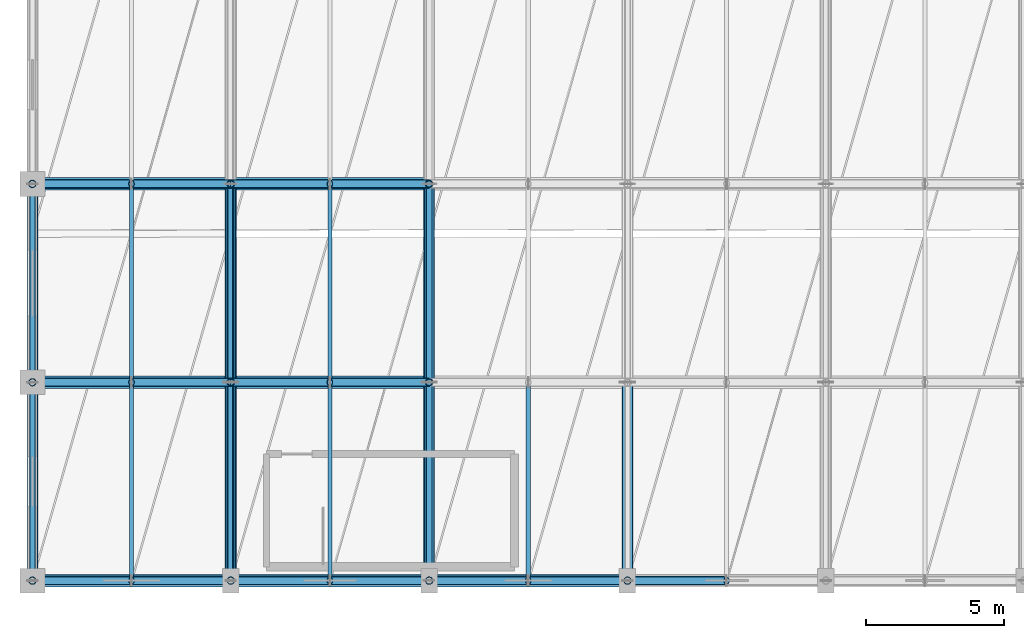
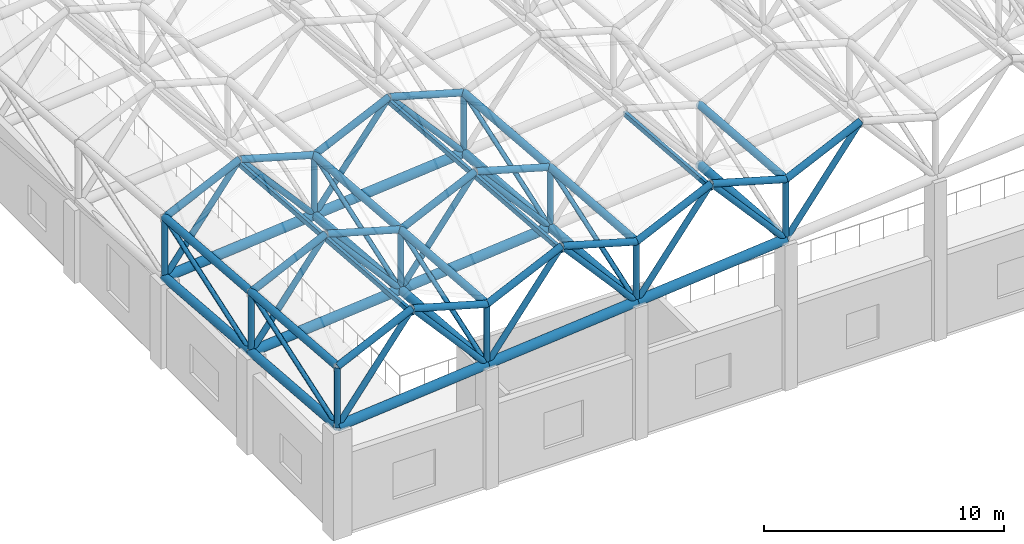
# One storey, part 18 of 113: 72 members.
"""IFC4 building model written with IfcOpenShell, lengths in metres."""

import ifcopenshell
import ifcopenshell.guid

model = None  # the IFC model being written
_history = None  # IfcOwnerHistory: only IFC2X3 demands one
_inside = {}  # id of a spatial element -> (the spatial element, [elements in it])
_under = {}  # id of a project, library or spatial element -> (it, [spatial elements below it])
_declared = {}  # id of a project -> (the project, [libraries it declares])
_typed = {}  # id of a type object -> (the type object, [elements of that type])
_made_of = {}  # id of a material, layer set ... -> (it, [elements and type objects made of it])


def new_model(schema):
    """Start an empty IFC model of exactly this schema.

    Asked for "IFC4X3", IfcOpenShell would pick the latest addendum, in which some entities
    have other attributes; the version numbers below select the first issue.
    IFC2X3 requires an IfcOwnerHistory on every rooted entity: one is made here for all.
    """
    global model, _history
    if schema == "IFC4X3":
        model = ifcopenshell.file(schema_version=(4, 3, 0, 0))
    else:
        model = ifcopenshell.file(schema=schema)
    _inside.clear()
    _under.clear()
    _declared.clear()
    _typed.clear()
    _made_of.clear()
    _history = None
    if model.schema == "IFC2X3":
        org = make("IfcOrganization", Name="unknown")
        user = make(
            "IfcPersonAndOrganization",
            ThePerson=make("IfcPerson", FamilyName="unknown"),
            TheOrganization=org,
        )
        app = make(
            "IfcApplication",
            ApplicationDeveloper=org,
            Version="unknown",
            ApplicationFullName="unknown",
            ApplicationIdentifier="unknown",
        )
        _history = make(
            "IfcOwnerHistory",
            OwningUser=user,
            OwningApplication=app,
            ChangeAction="ADDED",
            CreationDate=0,
        )
    return model


def make(cls, **values):
    """One entity of the class cls with the attributes given. An attribute that is None is left unset."""
    return model.create_entity(
        cls, **{name: value for name, value in values.items() if value is not None}
    )


def rooted(cls, **values):
    """An entity with a GlobalId (a new one), such as an element, a storey or a relation."""
    return make(cls, GlobalId=ifcopenshell.guid.new(), OwnerHistory=_history, **values)


def si_unit(unit_type, name, prefix=None):
    """IfcSIUnit, for example si_unit("LENGTHUNIT", "METRE", prefix="MILLI")."""
    return make("IfcSIUnit", UnitType=unit_type, Prefix=prefix, Name=name)


def assignment(units):
    """IfcUnitAssignment: the units of a project."""
    return None if units is None else make("IfcUnitAssignment", Units=units)


def point(xyz):
    """IfcCartesianPoint."""
    return None if xyz is None else make("IfcCartesianPoint", Coordinates=xyz)


def direction(xyz):
    """IfcDirection."""
    return None if xyz is None else make("IfcDirection", DirectionRatios=xyz)


def frame(location, z_axis=None, x_axis=None):
    """IfcAxis2Placement3D, a coordinate frame: its origin and axes. An axis left out is left unset."""
    return make(
        "IfcAxis2Placement3D",
        Location=point(location),
        Axis=direction(z_axis),
        RefDirection=direction(x_axis),
    )


def frame_2d(location, x_axis=None):
    """IfcAxis2Placement2D, a coordinate frame in the plane: its origin and x axis."""
    return make(
        "IfcAxis2Placement2D", Location=point(location), RefDirection=direction(x_axis)
    )


def origin():
    """The frame at (0, 0, 0) with its axes left unset."""
    return frame((0.0, 0.0, 0.0))


def origin_2d():
    """The frame at (0, 0) in the plane with its x axis left unset."""
    return frame_2d((0.0, 0.0))


def place(relative_to, where):
    """IfcLocalPlacement: puts the frame where relative to a parent placement (None: the world)."""
    return make(
        "IfcLocalPlacement", PlacementRelTo=relative_to, RelativePlacement=where
    )


def context(
    kind, dimensions, precision=None, world=None, true_north=None, identifier=None
):
    """IfcGeometricRepresentationContext, for example the 3D "Model" context."""
    return make(
        "IfcGeometricRepresentationContext",
        ContextIdentifier=identifier,
        ContextType=kind,
        CoordinateSpaceDimension=dimensions,
        Precision=precision,
        WorldCoordinateSystem=world,
        TrueNorth=true_north,
    )


def subcontext(parent, identifier, kind, view, scale=None):
    """IfcGeometricRepresentationSubContext, for example "Body" below "Model"."""
    return make(
        "IfcGeometricRepresentationSubContext",
        ContextIdentifier=identifier,
        ContextType=kind,
        ParentContext=parent,
        TargetScale=scale,
        TargetView=view,
    )


def project(units=None, contexts=None):
    """IfcProject with its units and contexts."""
    return rooted(
        "IfcProject",
        Name="project",
        RepresentationContexts=contexts,
        UnitsInContext=assignment(units),
    )


def spatial(cls, under=None, at=None, **own):
    """A site, building, storey or space (cls), placed at a placement, below another one or the project."""
    s = rooted(cls, ObjectPlacement=at, **own)
    if under is not None:
        _under.setdefault(under.id(), (under, []))[1].append(s)
    return s


def profile(cls, at=None, kind="AREA", **sizes):
    """A parametric profile (cls). Its sizes go by their IFC names, for example OverallWidth=200.0."""
    return make(cls, ProfileType=kind, Position=at, **sizes)


def hollow_rectangle(**sizes):
    """IfcRectangleHollowProfileDef."""
    return profile("IfcRectangleHollowProfileDef", **sizes)


def hollow_circle(**sizes):
    """IfcCircleHollowProfileDef."""
    return profile("IfcCircleHollowProfileDef", **sizes)


def extrude(swept, where, along, depth):
    """IfcExtrudedAreaSolid: the profile swept, set in the frame where, extruded along a direction by depth."""
    return make(
        "IfcExtrudedAreaSolid",
        SweptArea=swept,
        Position=where,
        ExtrudedDirection=direction(along),
        Depth=depth,
    )


def shape(context_of_items, identifier, shape_type, items):
    """IfcShapeRepresentation: the items that make up one representation, for example the "Body"."""
    return make(
        "IfcShapeRepresentation",
        ContextOfItems=context_of_items,
        RepresentationIdentifier=identifier,
        RepresentationType=shape_type,
        Items=items,
    )


def material(Name=None, Category=None):
    """IfcMaterial."""
    return make("IfcMaterial", Name=Name, Category=Category)


def material_profile(
    of_material, cross_section, Name=None, Category=None, Priority=None
):
    """IfcMaterialProfile: a cross section and its material."""
    return make(
        "IfcMaterialProfile",
        Name=Name,
        Material=of_material,
        Profile=cross_section,
        Priority=Priority,
        Category=Category,
    )


def profile_set(profiles, Name=None, composite=None):
    """IfcMaterialProfileSet."""
    return make(
        "IfcMaterialProfileSet",
        Name=Name,
        MaterialProfiles=profiles,
        CompositeProfile=composite,
    )


def made_of(thing, what):
    """Note that an element or type object is made of a material, layer set ...; save() writes the relation."""
    if what is not None:
        _made_of.setdefault(what.id(), (what, []))[1].append(thing)
    return thing


def type_object(cls, material=None, **own):
    """A type object (cls), such as IfcWallType, which elements share."""
    return made_of(rooted(cls, **own), material)


def element(
    cls,
    number,
    at=None,
    inside=None,
    cuts=None,
    type_object=None,
    material=None,
    context=None,
    identifier="Body",
    shape_type=None,
    held_by="IfcProductDefinitionShape",
    body=None,
    shapes=None,
    **own,
):
    """One element of the class cls, such as IfcWall. Its Tag is "e" and its number.

    at: its placement. inside: the storey or other place that contains it. cuts: it is an
    opening in that element (IfcRelVoidsElement). A single representation is given by context,
    identifier, shape_type and body (its items); several are given by shapes. held_by: the class
    of the entity that holds the representations. save() writes the other relations.
    """
    e = rooted(cls, Tag="e%d" % number, ObjectPlacement=at, **own)
    if body is not None:
        shapes = [shape(context, identifier, shape_type, body)]
    if shapes is not None:
        e.Representation = make(held_by, Representations=shapes)
    if inside is not None:
        _inside.setdefault(inside.id(), (inside, []))[1].append(e)
    if cuts is not None:
        rooted(
            "IfcRelVoidsElement", RelatingBuildingElement=cuts, RelatedOpeningElement=e
        )
    if type_object is not None:
        _typed.setdefault(type_object.id(), (type_object, []))[1].append(e)
    return made_of(e, material)


def aggregate(whole, parts):
    """IfcRelAggregates: a whole, such as a stair, and the parts it consists of."""
    return rooted("IfcRelAggregates", RelatingObject=whole, RelatedObjects=parts)


def save(model, path):
    """Write the relations noted so far, then the file.

    IfcRelAggregates (storeys below a building ...), IfcRelContainedInSpatialStructure (elements
    in a storey), IfcRelDefinesByType, IfcRelAssociatesMaterial and IfcRelDeclares: one each for
    every whole, place, type object, material and project.
    """
    for whole, parts in _under.values():
        aggregate(whole, parts)
    for where, things in _inside.values():
        rooted(
            "IfcRelContainedInSpatialStructure",
            RelatedElements=things,
            RelatingStructure=where,
        )
    for kind, things in _typed.values():
        rooted("IfcRelDefinesByType", RelatedObjects=things, RelatingType=kind)
    for what, things in _made_of.values():
        rooted("IfcRelAssociatesMaterial", RelatedObjects=things, RelatingMaterial=what)
    for by, libraries in _declared.values():
        rooted("IfcRelDeclares", RelatingContext=by, RelatedDefinitions=libraries)
    model.write(path)


model = new_model("IFC4")

# Units and contexts
model_context = context("Model", 3, precision=1e-05, world=origin(), true_north=direction((0.0, 1.0)))
body_context = subcontext(model_context, "Body", "Model", "MODEL_VIEW")
ifc_project = project(units=[si_unit("LENGTHUNIT", "METRE"), si_unit("AREAUNIT", "SQUARE_METRE"), si_unit("VOLUMEUNIT", "CUBIC_METRE"), si_unit("PLANEANGLEUNIT", "RADIAN"), si_unit("MASSUNIT", "GRAM", prefix="KILO")], contexts=[model_context])

# Site, building, storey
site_placement = place(None, origin())
site = spatial("IfcSite", under=ifc_project, at=site_placement, CompositionType="ELEMENT")
building_placement = place(site_placement, origin())
building = spatial("IfcBuilding", under=site, at=building_placement, Name="Carrowvane Square Congress Hotel", CompositionType="ELEMENT")
storey_placement = place(building_placement, frame((0.0, 0.0, 15.0)))
storey = spatial("IfcBuildingStorey", under=building, at=storey_placement, Name="L03", CompositionType="ELEMENT", Elevation=15.0)

# Members
ifc_material_1 = material(Name="Steel S355", Category="steel")
ifc_material_profile_1 = material_profile(ifc_material_1, hollow_rectangle(XDim=0.14990234375, YDim=0.25, WallThickness=0.012451171875, at=origin_2d()), Name="RHS 250x150x12.5")
ifc_profile_set_1 = profile_set([ifc_material_profile_1], Name="Steel S355")
member_type_1 = type_object("IfcMemberType", Name="MEM-PR-RHS250", PredefinedType="PURLIN", material=ifc_profile_set_1)
member_1_placement = place(storey_placement, frame((15.199951171875, 5.39990234375, 9.9384765625), z_axis=(0.0, 0.996867084951, -0.079094974189), x_axis=(-1.0, 0.0, 0.0)))
element("IfcMember", 1, at=member_1_placement, inside=storey, type_object=member_type_1, Name="Space-frame ridge purlin 449", PredefinedType="PURLIN", context=body_context, shape_type="SweptSolid", body=[
    extrude(hollow_rectangle(XDim=0.14990234375, YDim=0.25, WallThickness=0.012451171875, at=origin_2d()), origin(), (0.0, 0.0, 1.0), 7.222900390625),
])
member_2_placement = place(storey_placement, frame((15.199951171875, 12.60009765625, 9.3671875), z_axis=(0.0, 0.996864207606, -0.079131230206), x_axis=(-1.0, 0.0, 0.0)))
element("IfcMember", 2, at=member_2_placement, inside=storey, type_object=member_type_1, Name="Space-frame ridge purlin 450", PredefinedType="PURLIN", context=body_context, shape_type="SweptSolid", body=[
    extrude(hollow_rectangle(XDim=0.14990234375, YDim=0.25, WallThickness=0.012451171875, at=origin_2d()), origin(), (0.0, 0.0, 1.0), 7.22265625),
])
member_3_placement = place(storey_placement, frame((22.39990234375, 5.39990234375, 10.595703125), z_axis=(0.0, 0.996864419257, -0.079128563864), x_axis=(-1.0, 0.0, 0.0)))
element("IfcMember", 3, at=member_3_placement, inside=storey, type_object=member_type_1, Name="Space-frame ridge purlin 456", PredefinedType="PURLIN", context=body_context, shape_type="SweptSolid", body=[
    extrude(hollow_rectangle(XDim=0.14990234375, YDim=0.25, WallThickness=0.012451171875, at=origin_2d()), origin(), (0.0, 0.0, 1.0), 7.222900390625),
])
member_4_placement = place(storey_placement, frame((22.39990234375, 12.60009765625, 10.024169921875), z_axis=(0.0, 0.996866873479, -0.079097639413), x_axis=(-1.0, 0.0, 0.0)))
element("IfcMember", 4, at=member_4_placement, inside=storey, type_object=member_type_1, Name="Space-frame ridge purlin 457", PredefinedType="PURLIN", context=body_context, shape_type="SweptSolid", body=[
    extrude(hollow_rectangle(XDim=0.14990234375, YDim=0.25, WallThickness=0.012451171875, at=origin_2d()), origin(), (0.0, 0.0, 1.0), 7.22265625),
])
member_5_placement = place(storey_placement, frame((29.60009765625, 5.39990234375, 11.2529296875), z_axis=(0.0, 0.996864419257, -0.079128563864), x_axis=(-1.0, 0.0, 0.0)))
element("IfcMember", 5, at=member_5_placement, inside=storey, type_object=member_type_1, Name="Space-frame ridge purlin 463", PredefinedType="PURLIN", context=body_context, shape_type="SweptSolid", body=[
    extrude(hollow_rectangle(XDim=0.14990234375, YDim=0.25, WallThickness=0.012451171875, at=origin_2d()), origin(), (0.0, 0.0, 1.0), 7.222900390625),
])
ifc_material_2 = material(Name="Steel S355", Category="steel")
ifc_material_profile_2 = material_profile(ifc_material_2, hollow_circle(Radius=0.136474609375, WallThickness=0.01611328125, at=origin_2d()), Name="CHS 273.0x16")
ifc_profile_set_2 = profile_set([ifc_material_profile_2], Name="Steel S355")
member_type_2 = type_object("IfcMemberType", Name="MEM-ST-CHS273", PredefinedType="STRUT", material=ifc_profile_set_2)
for number, where, z_axis, x_axis, name in (
    (6, (11.60009765625, 5.39990234375, 5.419921875), (0.0, 0.0, 1.0), (1.0, 0.0, 0.0), "Space-frame vertical post 498"),
    (7, (11.60009765625, 12.60009765625, 4.8486328125), (0.0, 0.0, 1.0), (1.0, 0.0, 0.0), "Space-frame vertical post 499"),
    (8, (11.60009765625, 19.800048828125, 4.277099609375), (0.0, 0.0, 1.0), (1.0, 0.0, 0.0), "Space-frame vertical post 500"),
    (9, (18.800048828125, 5.39990234375, 6.0771484375), (0.0, 0.0, 1.0), (1.0, 0.0, 0.0), "Space-frame vertical post 506"),
    (10, (18.800048828125, 12.60009765625, 5.505615234375), (0.0, 0.0, 1.0), (1.0, 0.0, 0.0), "Space-frame vertical post 507"),
    (11, (18.800048828125, 19.800048828125, 4.934326171875), (0.0, 0.0, 1.0), (1.0, 0.0, 0.0), "Space-frame vertical post 508"),
):
    element("IfcMember", number, at=place(storey_placement, frame(where, z_axis=z_axis, x_axis=x_axis)), inside=storey, type_object=member_type_2, Name=name, PredefinedType="STRUT", context=body_context, shape_type="SweptSolid", body=[
        extrude(hollow_circle(Radius=0.136474609375, WallThickness=0.01611328125, at=origin_2d()), origin(), (0.0, 0.0, 1.0), 3.050048828125),
    ])
member_6_placement = place(storey_placement, frame((26.0, 5.39990234375, 6.734375), z_axis=(0.0, 0.0, 1.0), x_axis=(1.0, 0.0, 0.0)))
element("IfcMember", 12, at=member_6_placement, inside=storey, type_object=member_type_2, Name="Space-frame vertical post 514", PredefinedType="STRUT", context=body_context, shape_type="SweptSolid", body=[
    extrude(hollow_circle(Radius=0.136474609375, WallThickness=0.01611328125, at=origin_2d()), origin(), (0.0, 0.0, 1.0), 3.0498046875),
])
for number, where, z_axis, x_axis, name in (
    (13, (26.0, 12.60009765625, 6.162841796875), (0.0, 0.0, 1.0), (1.0, 0.0, 0.0), "Space-frame vertical post 515"),
    (14, (26.0, 19.800048828125, 5.59130859375), (0.0, 0.0, 1.0), (1.0, 0.0, 0.0), "Space-frame vertical post 516"),
    (15, (33.199951171875, 5.39990234375, 7.391357421875), (0.0, 0.0, 1.0), (1.0, 0.0, 0.0), "Space-frame vertical post 522"),
):
    element("IfcMember", number, at=place(storey_placement, frame(where, z_axis=z_axis, x_axis=x_axis)), inside=storey, type_object=member_type_2, Name=name, PredefinedType="STRUT", context=body_context, shape_type="SweptSolid", body=[
        extrude(hollow_circle(Radius=0.136474609375, WallThickness=0.01611328125, at=origin_2d()), origin(), (0.0, 0.0, 1.0), 3.050048828125),
    ])
ifc_material_3 = material(Name="Steel S355", Category="steel")
ifc_material_profile_3 = material_profile(ifc_material_3, hollow_circle(Radius=0.161865234375, WallThickness=0.01611328125, at=origin_2d()), Name="CHS 323.9x16")
ifc_profile_set_3 = profile_set([ifc_material_profile_3], Name="Steel S355")
member_type_3 = type_object("IfcMemberType", Name="MEM-TC-CHS324", PredefinedType="CHORD", material=ifc_profile_set_3)
member_7_placement = place(storey_placement, frame((11.60009765625, 5.39990234375, 8.469970703125), z_axis=(0.905334279236, 0.0, 0.424699709018), x_axis=(0.0, 1.0, 0.0)))
element("IfcMember", 16, at=member_7_placement, inside=storey, type_object=member_type_3, Name="Space-frame folded top chord 170", PredefinedType="CHORD", context=body_context, shape_type="SweptSolid", body=[
    extrude(hollow_circle(Radius=0.161865234375, WallThickness=0.01611328125, at=origin_2d()), origin(), (0.0, 0.0, 1.0), 3.976318359375),
])
member_8_placement = place(storey_placement, frame((15.199951171875, 5.39990234375, 10.15869140625), z_axis=(0.961319496164, 0.0, -0.275435702651), x_axis=(0.0, 1.0, 0.0)))
element("IfcMember", 17, at=member_8_placement, inside=storey, type_object=member_type_3, Name="Space-frame folded top chord 171", PredefinedType="CHORD", context=body_context, shape_type="SweptSolid", body=[
    extrude(hollow_circle(Radius=0.161865234375, WallThickness=0.01611328125, at=origin_2d()), origin(), (0.0, 0.0, 1.0), 3.744873046875),
])
member_9_placement = place(storey_placement, frame((18.800048828125, 5.39990234375, 9.127197265625), z_axis=(0.905357886231, 0.0, 0.424649382243), x_axis=(0.0, 1.0, 0.0)))
element("IfcMember", 18, at=member_9_placement, inside=storey, type_object=member_type_3, Name="Space-frame folded top chord 175", PredefinedType="CHORD", context=body_context, shape_type="SweptSolid", body=[
    extrude(hollow_circle(Radius=0.161865234375, WallThickness=0.01611328125, at=origin_2d()), origin(), (0.0, 0.0, 1.0), 3.97607421875),
])
member_10_placement = place(storey_placement, frame((22.39990234375, 5.39990234375, 10.815673828125), z_axis=(0.961319496164, 0.0, -0.275435702651), x_axis=(0.0, 1.0, 0.0)))
element("IfcMember", 19, at=member_10_placement, inside=storey, type_object=member_type_3, Name="Space-frame folded top chord 176", PredefinedType="CHORD", context=body_context, shape_type="SweptSolid", body=[
    extrude(hollow_circle(Radius=0.161865234375, WallThickness=0.01611328125, at=origin_2d()), origin(), (0.0, 0.0, 1.0), 3.744873046875),
])
member_11_placement = place(storey_placement, frame((26.0, 5.39990234375, 9.7841796875), z_axis=(0.905345352914, 0.0, 0.424676102408), x_axis=(0.0, 1.0, 0.0)))
element("IfcMember", 20, at=member_11_placement, inside=storey, type_object=member_type_3, Name="Space-frame folded top chord 180", PredefinedType="CHORD", context=body_context, shape_type="SweptSolid", body=[
    extrude(hollow_circle(Radius=0.161865234375, WallThickness=0.01611328125, at=origin_2d()), origin(), (0.0, 0.0, 1.0), 3.9765625),
])
member_12_placement = place(storey_placement, frame((29.60009765625, 5.39990234375, 11.472900390625), z_axis=(0.961314549928, 0.0, -0.275452965307), x_axis=(0.0, 1.0, 0.0)))
element("IfcMember", 21, at=member_12_placement, inside=storey, type_object=member_type_3, Name="Space-frame folded top chord 181", PredefinedType="CHORD", context=body_context, shape_type="SweptSolid", body=[
    extrude(hollow_circle(Radius=0.161865234375, WallThickness=0.01611328125, at=origin_2d()), origin(), (0.0, 0.0, 1.0), 3.74462890625),
])
member_13_placement = place(storey_placement, frame((33.199951171875, 5.39990234375, 10.44140625), z_axis=(0.905368957574, 0.0, 0.424625777199), x_axis=(0.0, 1.0, 0.0)))
element("IfcMember", 22, at=member_13_placement, inside=storey, type_object=member_type_3, Name="Space-frame folded top chord 185", PredefinedType="CHORD", context=body_context, shape_type="SweptSolid", body=[
    extrude(hollow_circle(Radius=0.161865234375, WallThickness=0.01611328125, at=origin_2d()), origin(), (0.0, 0.0, 1.0), 3.976318359375),
])
member_14_placement = place(storey_placement, frame((11.60009765625, 12.60009765625, 7.898681640625), z_axis=(0.905357886231, 0.0, 0.424649382243), x_axis=(0.0, 1.0, 0.0)))
element("IfcMember", 23, at=member_14_placement, inside=storey, type_object=member_type_3, Name="Space-frame folded top chord 205", PredefinedType="CHORD", context=body_context, shape_type="SweptSolid", body=[
    extrude(hollow_circle(Radius=0.161865234375, WallThickness=0.01611328125, at=origin_2d()), origin(), (0.0, 0.0, 1.0), 3.97607421875),
])
member_15_placement = place(storey_placement, frame((15.199951171875, 12.60009765625, 9.587158203125), z_axis=(0.961319496164, 0.0, -0.275435702651), x_axis=(0.0, 1.0, 0.0)))
element("IfcMember", 24, at=member_15_placement, inside=storey, type_object=member_type_3, Name="Space-frame folded top chord 206", PredefinedType="CHORD", context=body_context, shape_type="SweptSolid", body=[
    extrude(hollow_circle(Radius=0.161865234375, WallThickness=0.01611328125, at=origin_2d()), origin(), (0.0, 0.0, 1.0), 3.744873046875),
])
member_16_placement = place(storey_placement, frame((18.800048828125, 12.60009765625, 8.5556640625), z_axis=(0.905334279236, 0.0, 0.424699709018), x_axis=(0.0, 1.0, 0.0)))
element("IfcMember", 25, at=member_16_placement, inside=storey, type_object=member_type_3, Name="Space-frame folded top chord 210", PredefinedType="CHORD", context=body_context, shape_type="SweptSolid", body=[
    extrude(hollow_circle(Radius=0.161865234375, WallThickness=0.01611328125, at=origin_2d()), origin(), (0.0, 0.0, 1.0), 3.976318359375),
])
member_17_placement = place(storey_placement, frame((22.39990234375, 12.60009765625, 10.244384765625), z_axis=(0.961319496164, 0.0, -0.275435702651), x_axis=(0.0, 1.0, 0.0)))
element("IfcMember", 26, at=member_17_placement, inside=storey, type_object=member_type_3, Name="Space-frame folded top chord 211", PredefinedType="CHORD", context=body_context, shape_type="SweptSolid", body=[
    extrude(hollow_circle(Radius=0.161865234375, WallThickness=0.01611328125, at=origin_2d()), origin(), (0.0, 0.0, 1.0), 3.744873046875),
])
member_18_placement = place(storey_placement, frame((11.60009765625, 19.800048828125, 7.3271484375), z_axis=(0.905357886231, 0.0, 0.424649382243), x_axis=(0.0, 1.0, 0.0)))
element("IfcMember", 27, at=member_18_placement, inside=storey, type_object=member_type_3, Name="Space-frame folded top chord 240", PredefinedType="CHORD", context=body_context, shape_type="SweptSolid", body=[
    extrude(hollow_circle(Radius=0.161865234375, WallThickness=0.01611328125, at=origin_2d()), origin(), (0.0, 0.0, 1.0), 3.97607421875),
])
member_19_placement = place(storey_placement, frame((15.199951171875, 19.800048828125, 9.015625), z_axis=(0.961336756204, 0.0, -0.275375454917), x_axis=(0.0, 1.0, 0.0)))
element("IfcMember", 28, at=member_19_placement, inside=storey, type_object=member_type_3, Name="Space-frame folded top chord 241", PredefinedType="CHORD", context=body_context, shape_type="SweptSolid", body=[
    extrude(hollow_circle(Radius=0.161865234375, WallThickness=0.01611328125, at=origin_2d()), origin(), (0.0, 0.0, 1.0), 3.744873046875),
])
member_20_placement = place(storey_placement, frame((18.800048828125, 19.800048828125, 7.984375), z_axis=(0.905357886231, 0.0, 0.424649382243), x_axis=(0.0, 1.0, 0.0)))
element("IfcMember", 29, at=member_20_placement, inside=storey, type_object=member_type_3, Name="Space-frame folded top chord 245", PredefinedType="CHORD", context=body_context, shape_type="SweptSolid", body=[
    extrude(hollow_circle(Radius=0.161865234375, WallThickness=0.01611328125, at=origin_2d()), origin(), (0.0, 0.0, 1.0), 3.97607421875),
])
member_21_placement = place(storey_placement, frame((22.39990234375, 19.800048828125, 9.6728515625), z_axis=(0.961319496164, 0.0, -0.275435702651), x_axis=(0.0, 1.0, 0.0)))
element("IfcMember", 30, at=member_21_placement, inside=storey, type_object=member_type_3, Name="Space-frame folded top chord 246", PredefinedType="CHORD", context=body_context, shape_type="SweptSolid", body=[
    extrude(hollow_circle(Radius=0.161865234375, WallThickness=0.01611328125, at=origin_2d()), origin(), (0.0, 0.0, 1.0), 3.744873046875),
])
ifc_material_4 = material(Name="Steel S355", Category="steel")
ifc_material_profile_4 = material_profile(ifc_material_4, hollow_circle(Radius=0.177734375, WallThickness=0.02001953125, at=origin_2d()), Name="CHS 355.6x20")
ifc_profile_set_4 = profile_set([ifc_material_profile_4], Name="Steel S355")
member_type_4 = type_object("IfcMemberType", Name="MEM-TC-CHS356", PredefinedType="CHORD", material=ifc_profile_set_4)
member_22_placement = place(storey_placement, frame((11.60009765625, 5.39990234375, 8.469970703125), z_axis=(0.0, 0.996867084951, -0.079094974189), x_axis=(-1.0, 0.0, 0.0)))
element("IfcMember", 31, at=member_22_placement, inside=storey, type_object=member_type_4, Name="Space-frame valley top chord 1", PredefinedType="CHORD", context=body_context, shape_type="SweptSolid", body=[
    extrude(hollow_circle(Radius=0.177734375, WallThickness=0.02001953125, at=origin_2d()), origin(), (0.0, 0.0, 1.0), 7.222900390625),
])
member_23_placement = place(storey_placement, frame((11.60009765625, 12.60009765625, 7.898681640625), z_axis=(0.0, 0.996864207606, -0.079131230206), x_axis=(-1.0, 0.0, 0.0)))
element("IfcMember", 32, at=member_23_placement, inside=storey, type_object=member_type_4, Name="Space-frame valley top chord 4", PredefinedType="CHORD", context=body_context, shape_type="SweptSolid", body=[
    extrude(hollow_circle(Radius=0.177734375, WallThickness=0.02001953125, at=origin_2d()), origin(), (0.0, 0.0, 1.0), 7.22265625),
])
member_24_placement = place(storey_placement, frame((18.800048828125, 5.39990234375, 9.127197265625), z_axis=(0.0, 0.996864419257, -0.079128563864), x_axis=(-1.0, 0.0, 0.0)))
element("IfcMember", 33, at=member_24_placement, inside=storey, type_object=member_type_4, Name="Space-frame valley top chord 22", PredefinedType="CHORD", context=body_context, shape_type="SweptSolid", body=[
    extrude(hollow_circle(Radius=0.177734375, WallThickness=0.02001953125, at=origin_2d()), origin(), (0.0, 0.0, 1.0), 7.222900390625),
])
member_25_placement = place(storey_placement, frame((18.800048828125, 12.60009765625, 8.5556640625), z_axis=(0.0, 0.996866873479, -0.079097639413), x_axis=(-1.0, 0.0, 0.0)))
element("IfcMember", 34, at=member_25_placement, inside=storey, type_object=member_type_4, Name="Space-frame valley top chord 25", PredefinedType="CHORD", context=body_context, shape_type="SweptSolid", body=[
    extrude(hollow_circle(Radius=0.177734375, WallThickness=0.02001953125, at=origin_2d()), origin(), (0.0, 0.0, 1.0), 7.22265625),
])
member_26_placement = place(storey_placement, frame((26.0, 5.39990234375, 9.7841796875), z_axis=(0.0, 0.996867084951, -0.079094974189), x_axis=(-1.0, 0.0, 0.0)))
element("IfcMember", 35, at=member_26_placement, inside=storey, type_object=member_type_4, Name="Space-frame valley top chord 43", PredefinedType="CHORD", context=body_context, shape_type="SweptSolid", body=[
    extrude(hollow_circle(Radius=0.177734375, WallThickness=0.02001953125, at=origin_2d()), origin(), (0.0, 0.0, 1.0), 7.222900390625),
])
member_27_placement = place(storey_placement, frame((26.0, 12.60009765625, 9.212890625), z_axis=(0.0, 0.996864207606, -0.079131230206), x_axis=(-1.0, 0.0, 0.0)))
element("IfcMember", 36, at=member_27_placement, inside=storey, type_object=member_type_4, Name="Space-frame valley top chord 46", PredefinedType="CHORD", context=body_context, shape_type="SweptSolid", body=[
    extrude(hollow_circle(Radius=0.177734375, WallThickness=0.02001953125, at=origin_2d()), origin(), (0.0, 0.0, 1.0), 7.22265625),
])
member_28_placement = place(storey_placement, frame((33.199951171875, 5.39990234375, 10.44140625), z_axis=(0.0, 0.996867084951, -0.079094974189), x_axis=(-1.0, 0.0, 0.0)))
element("IfcMember", 37, at=member_28_placement, inside=storey, type_object=member_type_4, Name="Space-frame valley top chord 64", PredefinedType="CHORD", context=body_context, shape_type="SweptSolid", body=[
    extrude(hollow_circle(Radius=0.177734375, WallThickness=0.02001953125, at=origin_2d()), origin(), (0.0, 0.0, 1.0), 7.222900390625),
])
ifc_material_5 = material(Name="Steel S355", Category="steel")
ifc_material_profile_5 = material_profile(ifc_material_5, hollow_circle(Radius=0.203125, WallThickness=0.02001953125, at=origin_2d()), Name="CHS 406.4x20")
ifc_profile_set_5 = profile_set([ifc_material_profile_5], Name="Steel S355")
member_type_5 = type_object("IfcMemberType", Name="MEM-TC-CHS406", PredefinedType="CHORD", material=ifc_profile_set_5)
member_29_placement = place(storey_placement, frame((11.60009765625, 5.39990234375, 5.419921875), z_axis=(0.0, 0.996867084951, -0.079094974189), x_axis=(-1.0, 0.0, 0.0)))
element("IfcMember", 38, at=member_29_placement, inside=storey, type_object=member_type_5, Name="Space-frame bottom chord 2", PredefinedType="CHORD", context=body_context, shape_type="SweptSolid", body=[
    extrude(hollow_circle(Radius=0.203125, WallThickness=0.02001953125, at=origin_2d()), origin(), (0.0, 0.0, 1.0), 7.222900390625),
])
member_30_placement = place(storey_placement, frame((11.60009765625, 12.60009765625, 4.8486328125), z_axis=(0.0, 0.996864207606, -0.079131230206), x_axis=(-1.0, 0.0, 0.0)))
element("IfcMember", 39, at=member_30_placement, inside=storey, type_object=member_type_5, Name="Space-frame bottom chord 5", PredefinedType="CHORD", context=body_context, shape_type="SweptSolid", body=[
    extrude(hollow_circle(Radius=0.203125, WallThickness=0.02001953125, at=origin_2d()), origin(), (0.0, 0.0, 1.0), 7.22265625),
])
member_31_placement = place(storey_placement, frame((18.800048828125, 5.39990234375, 6.0771484375), z_axis=(0.0, 0.996864419257, -0.079128563864), x_axis=(-1.0, 0.0, 0.0)))
element("IfcMember", 40, at=member_31_placement, inside=storey, type_object=member_type_5, Name="Space-frame bottom chord 23", PredefinedType="CHORD", context=body_context, shape_type="SweptSolid", body=[
    extrude(hollow_circle(Radius=0.203125, WallThickness=0.02001953125, at=origin_2d()), origin(), (0.0, 0.0, 1.0), 7.222900390625),
])
member_32_placement = place(storey_placement, frame((18.800048828125, 12.60009765625, 5.505615234375), z_axis=(0.0, 0.996866873479, -0.079097639413), x_axis=(-1.0, 0.0, 0.0)))
element("IfcMember", 41, at=member_32_placement, inside=storey, type_object=member_type_5, Name="Space-frame bottom chord 26", PredefinedType="CHORD", context=body_context, shape_type="SweptSolid", body=[
    extrude(hollow_circle(Radius=0.203125, WallThickness=0.02001953125, at=origin_2d()), origin(), (0.0, 0.0, 1.0), 7.22265625),
])
member_33_placement = place(storey_placement, frame((26.0, 5.39990234375, 6.734375), z_axis=(0.0, 0.996864419257, -0.079128563864), x_axis=(-1.0, 0.0, 0.0)))
element("IfcMember", 42, at=member_33_placement, inside=storey, type_object=member_type_5, Name="Space-frame bottom chord 44", PredefinedType="CHORD", context=body_context, shape_type="SweptSolid", body=[
    extrude(hollow_circle(Radius=0.203125, WallThickness=0.02001953125, at=origin_2d()), origin(), (0.0, 0.0, 1.0), 7.222900390625),
])
member_34_placement = place(storey_placement, frame((26.0, 12.60009765625, 6.162841796875), z_axis=(0.0, 0.996864207606, -0.079131230206), x_axis=(-1.0, 0.0, 0.0)))
element("IfcMember", 43, at=member_34_placement, inside=storey, type_object=member_type_5, Name="Space-frame bottom chord 47", PredefinedType="CHORD", context=body_context, shape_type="SweptSolid", body=[
    extrude(hollow_circle(Radius=0.203125, WallThickness=0.02001953125, at=origin_2d()), origin(), (0.0, 0.0, 1.0), 7.22265625),
])
member_35_placement = place(storey_placement, frame((33.199951171875, 5.39990234375, 7.391357421875), z_axis=(0.0, 0.996867084951, -0.079094974189), x_axis=(-1.0, 0.0, 0.0)))
element("IfcMember", 44, at=member_35_placement, inside=storey, type_object=member_type_5, Name="Space-frame bottom chord 65", PredefinedType="CHORD", context=body_context, shape_type="SweptSolid", body=[
    extrude(hollow_circle(Radius=0.203125, WallThickness=0.02001953125, at=origin_2d()), origin(), (0.0, 0.0, 1.0), 7.222900390625),
])
ifc_material_6 = material(Name="Steel S355", Category="steel")
ifc_material_profile_6 = material_profile(ifc_material_6, hollow_circle(Radius=0.228515625, WallThickness=0.02490234375, at=origin_2d()), Name="CHS 457.0x25")
ifc_profile_set_6 = profile_set([ifc_material_profile_6], Name="Steel S355")
member_type_6 = type_object("IfcMemberType", Name="MEM-TC-CHS457", PredefinedType="CHORD", material=ifc_profile_set_6)
for number, where, z_axis, x_axis, name in (
    (45, (11.60009765625, 5.39990234375, 5.419921875), (0.995859646859, 0.0, 0.090904145988), (0.0, 1.0, 0.0), "Space-frame cross bottom chord 169"),
    (46, (18.800048828125, 5.39990234375, 6.0771484375), (0.995859646859, 0.0, 0.090904145988), (0.0, 1.0, 0.0), "Space-frame cross bottom chord 174"),
    (47, (26.0, 5.39990234375, 6.734375), (0.99586270327, 0.0, 0.090870656624), (0.0, 1.0, 0.0), "Space-frame cross bottom chord 179"),
    (48, (11.60009765625, 12.60009765625, 4.8486328125), (0.99586270327, 0.0, 0.090870656624), (0.0, 1.0, 0.0), "Space-frame cross bottom chord 204"),
    (49, (18.800048828125, 12.60009765625, 5.505615234375), (0.995859646859, 0.0, 0.090904145988), (0.0, 1.0, 0.0), "Space-frame cross bottom chord 209"),
    (50, (11.60009765625, 19.800048828125, 4.277099609375), (0.995859646859, 0.0, 0.090904145988), (0.0, 1.0, 0.0), "Space-frame cross bottom chord 239"),
    (51, (18.800048828125, 19.800048828125, 4.934326171875), (0.99586270327, 0.0, 0.090870656624), (0.0, 1.0, 0.0), "Space-frame cross bottom chord 244"),
):
    element("IfcMember", number, at=place(storey_placement, frame(where, z_axis=z_axis, x_axis=x_axis)), inside=storey, type_object=member_type_6, Name=name, PredefinedType="CHORD", context=body_context, shape_type="SweptSolid", body=[
        extrude(hollow_circle(Radius=0.228515625, WallThickness=0.02490234375, at=origin_2d()), origin(), (0.0, 0.0, 1.0), 7.22998046875),
    ])
ifc_material_7 = material(Name="Steel S355", Category="steel")
ifc_material_profile_7 = material_profile(ifc_material_7, hollow_circle(Radius=0.109619140625, WallThickness=0.012451171875, at=origin_2d()), Name="CHS 219.1x12.5")
ifc_profile_set_7 = profile_set([ifc_material_profile_7], Name="Steel S355")
member_type_7 = type_object("IfcMemberType", Name="MEM-TD-CHS219", PredefinedType="BRACE", material=ifc_profile_set_7)
member_36_placement = place(storey_placement, frame((11.60009765625, 5.39990234375, 5.419921875), z_axis=(0.0, 0.945537424098, 0.325513409293), x_axis=(-1.0, 0.0, 0.0)))
element("IfcMember", 52, at=member_36_placement, inside=storey, type_object=member_type_7, Name="Space-frame web diagonal 3", PredefinedType="BRACE", context=body_context, shape_type="SweptSolid", body=[
    extrude(hollow_circle(Radius=0.109619140625, WallThickness=0.012451171875, at=origin_2d()), origin(), (0.0, 0.0, 1.0), 7.614990234375),
])
member_37_placement = place(storey_placement, frame((11.60009765625, 12.60009765625, 4.8486328125), z_axis=(0.0, 0.945543894884, 0.325494612623), x_axis=(-1.0, 0.0, 0.0)))
element("IfcMember", 53, at=member_37_placement, inside=storey, type_object=member_type_7, Name="Space-frame web diagonal 6", PredefinedType="BRACE", context=body_context, shape_type="SweptSolid", body=[
    extrude(hollow_circle(Radius=0.109619140625, WallThickness=0.012451171875, at=origin_2d()), origin(), (0.0, 0.0, 1.0), 7.614501953125),
])
for number, where, z_axis, x_axis, name in (
    (54, (18.800048828125, 5.39990234375, 6.0771484375), (0.0, 0.945547291607, 0.325484745165), (-1.0, 0.0, 0.0), "Space-frame web diagonal 24"),
    (55, (18.800048828125, 12.60009765625, 5.505615234375), (0.0, 0.945534026813, 0.325523277415), (-1.0, 0.0, 0.0), "Space-frame web diagonal 27"),
    (56, (26.0, 5.39990234375, 6.734375), (0.0, 0.945547291607, 0.325484745165), (-1.0, 0.0, 0.0), "Space-frame web diagonal 45"),
):
    element("IfcMember", number, at=place(storey_placement, frame(where, z_axis=z_axis, x_axis=x_axis)), inside=storey, type_object=member_type_7, Name=name, PredefinedType="BRACE", context=body_context, shape_type="SweptSolid", body=[
        extrude(hollow_circle(Radius=0.109619140625, WallThickness=0.012451171875, at=origin_2d()), origin(), (0.0, 0.0, 1.0), 7.61474609375),
    ])
member_38_placement = place(storey_placement, frame((26.0, 12.60009765625, 6.162841796875), z_axis=(0.0, 0.945543894884, 0.325494612623), x_axis=(-1.0, 0.0, 0.0)))
element("IfcMember", 57, at=member_38_placement, inside=storey, type_object=member_type_7, Name="Space-frame web diagonal 48", PredefinedType="BRACE", context=body_context, shape_type="SweptSolid", body=[
    extrude(hollow_circle(Radius=0.109619140625, WallThickness=0.012451171875, at=origin_2d()), origin(), (0.0, 0.0, 1.0), 7.614501953125),
])
ifc_material_8 = material(Name="Steel S355", Category="steel")
ifc_material_profile_8 = material_profile(ifc_material_8, hollow_circle(Radius=0.136474609375, WallThickness=0.01611328125, at=origin_2d()), Name="CHS 273.0x16")
ifc_profile_set_8 = profile_set([ifc_material_profile_8], Name="Steel S355")
member_type_8 = type_object("IfcMemberType", Name="MEM-TD-CHS273", PredefinedType="BRACE", material=ifc_profile_set_8)
member_39_placement = place(storey_placement, frame((11.60009765625, 5.39990234375, 5.419921875), z_axis=(0.604911623084, 0.0, 0.79629261472), x_axis=(0.0, 1.0, 0.0)))
element("IfcMember", 58, at=member_39_placement, inside=storey, type_object=member_type_8, Name="Space-frame space diagonal 172", PredefinedType="BRACE", context=body_context, shape_type="SweptSolid", body=[
    extrude(hollow_circle(Radius=0.136474609375, WallThickness=0.01611328125, at=origin_2d()), origin(), (0.0, 0.0, 1.0), 5.950927734375),
])
member_40_placement = place(storey_placement, frame((18.800048828125, 5.39990234375, 6.0771484375), z_axis=(-0.661491064627, 0.0, 0.749953046143), x_axis=(0.0, -1.0, 0.0)))
element("IfcMember", 59, at=member_40_placement, inside=storey, type_object=member_type_8, Name="Space-frame space diagonal 173", PredefinedType="BRACE", context=body_context, shape_type="SweptSolid", body=[
    extrude(hollow_circle(Radius=0.136474609375, WallThickness=0.01611328125, at=origin_2d()), origin(), (0.0, 0.0, 1.0), 5.4423828125),
])
member_41_placement = place(storey_placement, frame((18.800048828125, 5.39990234375, 6.0771484375), z_axis=(0.604931384673, 0.0, 0.796277602246), x_axis=(0.0, 1.0, 0.0)))
element("IfcMember", 60, at=member_41_placement, inside=storey, type_object=member_type_8, Name="Space-frame space diagonal 177", PredefinedType="BRACE", context=body_context, shape_type="SweptSolid", body=[
    extrude(hollow_circle(Radius=0.136474609375, WallThickness=0.01611328125, at=origin_2d()), origin(), (0.0, 0.0, 1.0), 5.950927734375),
])
member_42_placement = place(storey_placement, frame((26.0, 5.39990234375, 6.734375), z_axis=(-0.66151331907, 0.0, 0.749933416173), x_axis=(0.0, -1.0, 0.0)))
element("IfcMember", 61, at=member_42_placement, inside=storey, type_object=member_type_8, Name="Space-frame space diagonal 178", PredefinedType="BRACE", context=body_context, shape_type="SweptSolid", body=[
    extrude(hollow_circle(Radius=0.136474609375, WallThickness=0.01611328125, at=origin_2d()), origin(), (0.0, 0.0, 1.0), 5.442138671875),
])
member_43_placement = place(storey_placement, frame((26.0, 5.39990234375, 6.734375), z_axis=(0.604957396698, 0.0, 0.796257840263), x_axis=(0.0, 1.0, 0.0)))
element("IfcMember", 62, at=member_43_placement, inside=storey, type_object=member_type_8, Name="Space-frame space diagonal 182", PredefinedType="BRACE", context=body_context, shape_type="SweptSolid", body=[
    extrude(hollow_circle(Radius=0.136474609375, WallThickness=0.01611328125, at=origin_2d()), origin(), (0.0, 0.0, 1.0), 5.950927734375),
])
member_44_placement = place(storey_placement, frame((33.199951171875, 5.39990234375, 7.391357421875), z_axis=(-0.661465833466, 0.0, 0.749975300365), x_axis=(0.0, -1.0, 0.0)))
element("IfcMember", 63, at=member_44_placement, inside=storey, type_object=member_type_8, Name="Space-frame space diagonal 183", PredefinedType="BRACE", context=body_context, shape_type="SweptSolid", body=[
    extrude(hollow_circle(Radius=0.136474609375, WallThickness=0.01611328125, at=origin_2d()), origin(), (0.0, 0.0, 1.0), 5.442138671875),
])
for number, where, z_axis, x_axis, name in (
    (64, (33.199951171875, 5.39990234375, 7.391357421875), (0.604957396698, 0.0, 0.796257840263), (0.0, 1.0, 0.0), "Space-frame space diagonal 187"),
    (65, (11.60009765625, 12.60009765625, 4.8486328125), (0.604931384673, 0.0, 0.796277602246), (0.0, 1.0, 0.0), "Space-frame space diagonal 207"),
):
    element("IfcMember", number, at=place(storey_placement, frame(where, z_axis=z_axis, x_axis=x_axis)), inside=storey, type_object=member_type_8, Name=name, PredefinedType="BRACE", context=body_context, shape_type="SweptSolid", body=[
        extrude(hollow_circle(Radius=0.136474609375, WallThickness=0.01611328125, at=origin_2d()), origin(), (0.0, 0.0, 1.0), 5.950927734375),
    ])
member_45_placement = place(storey_placement, frame((18.800048828125, 12.60009765625, 5.505615234375), z_axis=(-0.661491064627, 0.0, 0.749953046143), x_axis=(0.0, -1.0, 0.0)))
element("IfcMember", 66, at=member_45_placement, inside=storey, type_object=member_type_8, Name="Space-frame space diagonal 208", PredefinedType="BRACE", context=body_context, shape_type="SweptSolid", body=[
    extrude(hollow_circle(Radius=0.136474609375, WallThickness=0.01611328125, at=origin_2d()), origin(), (0.0, 0.0, 1.0), 5.4423828125),
])
member_46_placement = place(storey_placement, frame((18.800048828125, 12.60009765625, 5.505615234375), z_axis=(0.604911623084, 0.0, 0.79629261472), x_axis=(0.0, 1.0, 0.0)))
element("IfcMember", 67, at=member_46_placement, inside=storey, type_object=member_type_8, Name="Space-frame space diagonal 212", PredefinedType="BRACE", context=body_context, shape_type="SweptSolid", body=[
    extrude(hollow_circle(Radius=0.136474609375, WallThickness=0.01611328125, at=origin_2d()), origin(), (0.0, 0.0, 1.0), 5.950927734375),
])
member_47_placement = place(storey_placement, frame((26.0, 12.60009765625, 6.162841796875), z_axis=(-0.661491064627, 0.0, 0.749953046143), x_axis=(0.0, -1.0, 0.0)))
element("IfcMember", 68, at=member_47_placement, inside=storey, type_object=member_type_8, Name="Space-frame space diagonal 213", PredefinedType="BRACE", context=body_context, shape_type="SweptSolid", body=[
    extrude(hollow_circle(Radius=0.136474609375, WallThickness=0.01611328125, at=origin_2d()), origin(), (0.0, 0.0, 1.0), 5.4423828125),
])
member_48_placement = place(storey_placement, frame((11.60009765625, 19.800048828125, 4.277099609375), z_axis=(0.604931384673, 0.0, 0.796277602246), x_axis=(0.0, 1.0, 0.0)))
element("IfcMember", 69, at=member_48_placement, inside=storey, type_object=member_type_8, Name="Space-frame space diagonal 242", PredefinedType="BRACE", context=body_context, shape_type="SweptSolid", body=[
    extrude(hollow_circle(Radius=0.136474609375, WallThickness=0.01611328125, at=origin_2d()), origin(), (0.0, 0.0, 1.0), 5.950927734375),
])
member_49_placement = place(storey_placement, frame((18.800048828125, 19.800048828125, 4.934326171875), z_axis=(-0.66151331907, 0.0, 0.749933416173), x_axis=(0.0, -1.0, 0.0)))
element("IfcMember", 70, at=member_49_placement, inside=storey, type_object=member_type_8, Name="Space-frame space diagonal 243", PredefinedType="BRACE", context=body_context, shape_type="SweptSolid", body=[
    extrude(hollow_circle(Radius=0.136474609375, WallThickness=0.01611328125, at=origin_2d()), origin(), (0.0, 0.0, 1.0), 5.442138671875),
])
member_50_placement = place(storey_placement, frame((18.800048828125, 19.800048828125, 4.934326171875), z_axis=(0.604931384673, 0.0, 0.796277602246), x_axis=(0.0, 1.0, 0.0)))
element("IfcMember", 71, at=member_50_placement, inside=storey, type_object=member_type_8, Name="Space-frame space diagonal 247", PredefinedType="BRACE", context=body_context, shape_type="SweptSolid", body=[
    extrude(hollow_circle(Radius=0.136474609375, WallThickness=0.01611328125, at=origin_2d()), origin(), (0.0, 0.0, 1.0), 5.950927734375),
])
member_51_placement = place(storey_placement, frame((26.0, 19.800048828125, 5.59130859375), z_axis=(-0.661491064627, 0.0, 0.749953046143), x_axis=(0.0, -1.0, 0.0)))
element("IfcMember", 72, at=member_51_placement, inside=storey, type_object=member_type_8, Name="Space-frame space diagonal 248", PredefinedType="BRACE", context=body_context, shape_type="SweptSolid", body=[
    extrude(hollow_circle(Radius=0.136474609375, WallThickness=0.01611328125, at=origin_2d()), origin(), (0.0, 0.0, 1.0), 5.4423828125),
])

save(model, "model.ifc")
